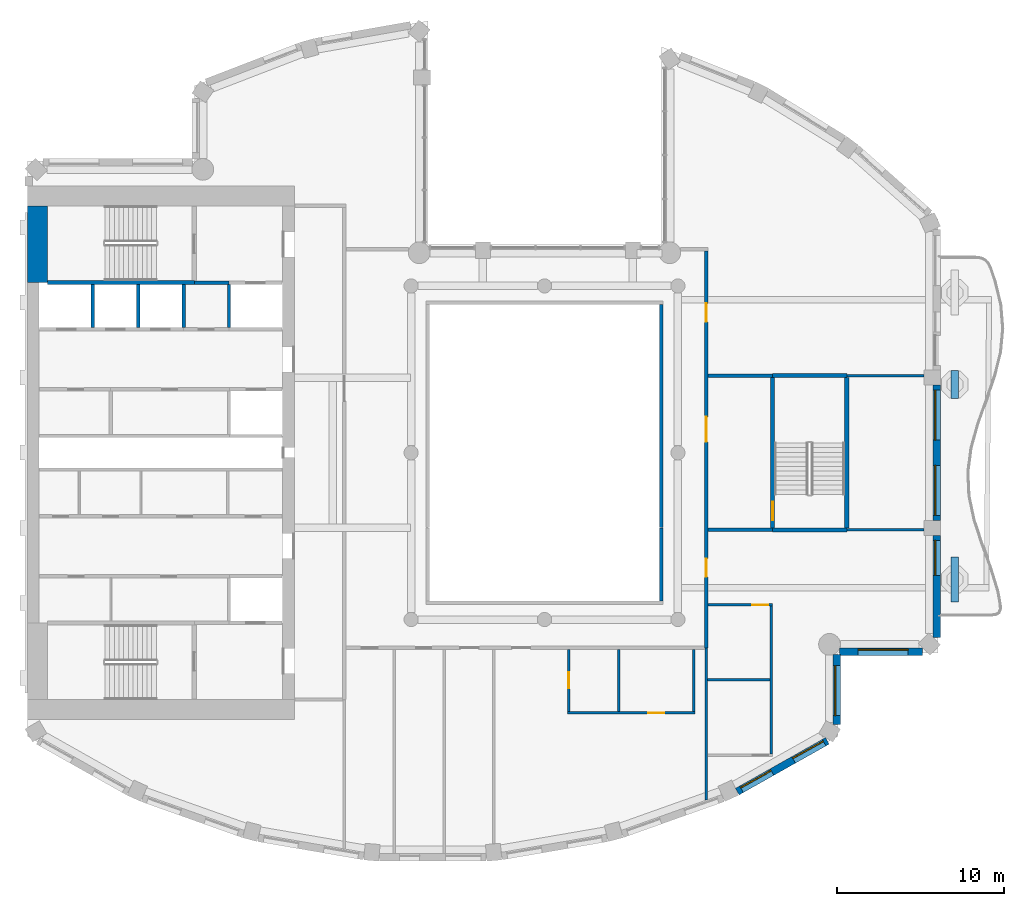
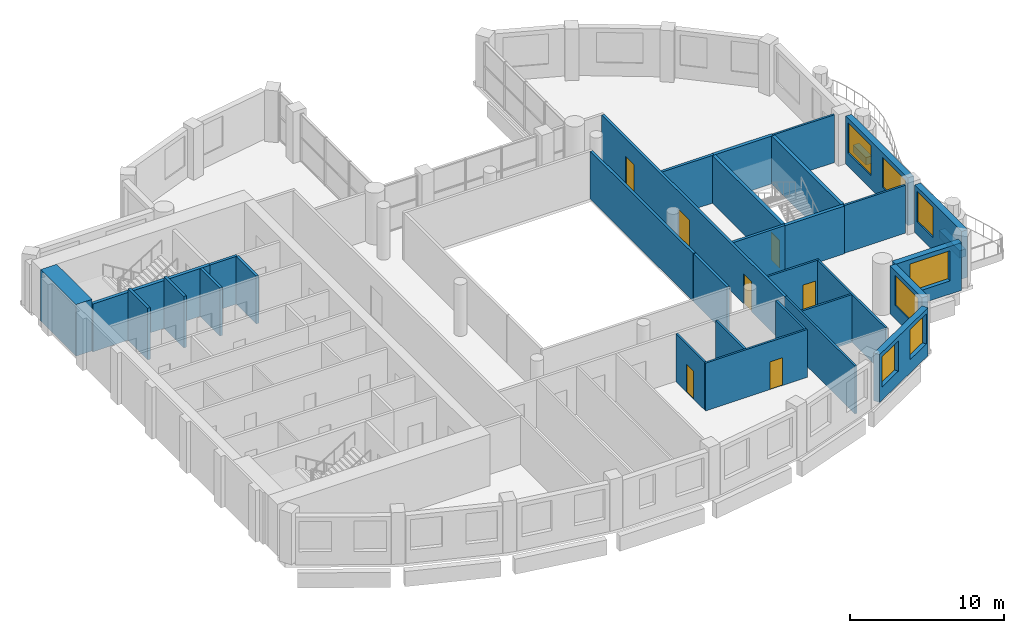
# One storey, part 6 of 14: 33 walls, 7 doors, 7 windows, 14 openings.
"""IFC4 building model written with IfcOpenShell, lengths in metres."""

from ifc_helpers import new_model, si_unit, direction, frame, frame_2d, origin, place, context, subcontext, project, spatial, rectangle, extrude, material, layer, layer_set, type_object, element, fill, save


model = new_model("IFC4")

# Units and contexts
model_context = context("Model", 3, precision=1e-05, world=origin(), true_north=direction((0.0, 1.0)))
body_context = subcontext(model_context, "Body", "Model", "MODEL_VIEW")
ifc_project = project(units=[si_unit("LENGTHUNIT", "METRE"), si_unit("AREAUNIT", "SQUARE_METRE"), si_unit("VOLUMEUNIT", "CUBIC_METRE"), si_unit("PLANEANGLEUNIT", "RADIAN"), si_unit("MASSUNIT", "GRAM", prefix="KILO")], contexts=[model_context])

# Site, building, storey
site_placement = place(None, origin())
site = spatial("IfcSite", under=ifc_project, at=site_placement, CompositionType="ELEMENT")
building_placement = place(site_placement, origin())
building = spatial("IfcBuilding", under=site, at=building_placement, Name="Cypress Arch Tower", CompositionType="ELEMENT")
storey_placement = place(building_placement, frame((0.0, 0.0, 272.10009765625)))
storey = spatial("IfcBuildingStorey", under=building, at=storey_placement, Name="L61", CompositionType="ELEMENT", Elevation=272.10009765625)

# Walls
ifc_material_1 = material(Name="Concrete C40/50, waterproofed", Category="concrete")
ifc_layer_1 = layer(ifc_material_1, 0.449951171875)
ifc_layer_set_1 = layer_set([ifc_layer_1], Name="Balcony planter wall PW450")
wall_type_1 = type_object("IfcWallType", Name="Balcony planter wall PW450", PredefinedType="SOLIDWALL", material=ifc_layer_set_1)
wall_1_placement = place(storey_placement, frame((25.60009765625, -8.949951171875, 0.0), z_axis=(0.0, 0.0, 1.0), x_axis=(0.0, 1.0, 0.0)))
element("IfcWall", 1, at=wall_1_placement, inside=storey, type_object=wall_type_1, Name="Balcony planter wall L61-C17.1", PredefinedType="SOLIDWALL", context=body_context, shape_type="SweptSolid", body=[
    extrude(rectangle(XDim=2.699951171875, YDim=0.449951171875, at=frame_2d((1.35009765625, 0.0))), origin(), (0.0, 0.0, 1.0), 0.599853515625),
])
wall_2_placement = place(storey_placement, frame((25.60009765625, 3.25, 0.0), z_axis=(0.0, 0.0, 1.0), x_axis=(0.0, 1.0, 0.0)))
element("IfcWall", 2, at=wall_2_placement, inside=storey, type_object=wall_type_1, Name="Balcony planter wall L61-C17.2", PredefinedType="SOLIDWALL", context=body_context, shape_type="SweptSolid", body=[
    extrude(rectangle(XDim=1.69140625, YDim=0.449951171875, at=frame_2d((0.845703125, 0.0))), origin(), (0.0, 0.0, 1.0), 0.599853515625),
])

# Wall, openings, windows
ifc_material_2 = material(Name="Brick (red buff blend)", Category="masonry")
ifc_layer_2 = layer(ifc_material_2, 0.449951171875)
ifc_layer_set_2 = layer_set([ifc_layer_2], Name="Brick pier and spandrel wall BW450")
wall_type_2 = type_object("IfcWallType", Name="Brick pier and spandrel wall BW450", PredefinedType="SOLIDWALL", material=ifc_layer_set_2)
wall_3_placement = place(storey_placement, frame((12.55908203125, -20.320068359375, 0.0), z_axis=(0.0, 0.0, 1.0), x_axis=(0.871065783524, 0.491166367714, 0.0)))
wall_3 = element("IfcWall", 3, at=wall_3_placement, inside=storey, type_object=wall_type_2, Name="Brick wall L61 C14.0", PredefinedType="SOLIDWALL", context=body_context, shape_type="SweptSolid", body=[
    extrude(rectangle(XDim=6.1962890625, YDim=0.449951171875, at=frame_2d((3.09814453125, 0.0))), origin(), (0.0, 0.0, 1.0), 3.7998046875),
])
opening_1_placement = place(wall_3_placement, frame((0.29052734375, 0.0, 1.050048828125)))
opening_1 = element("IfcOpeningElement", 4, at=opening_1_placement, cuts=wall_3, Name="Opening W210O", PredefinedType="OPENING", context=body_context, shape_type="SweptSolid", body=[
    extrude(rectangle(XDim=2.10009765625, YDim=2.39990234375, at=frame_2d((1.050048828125, 1.199951171875))), frame((0.0, 0.23486328125, 0.0), z_axis=(0.0, -1.0, 0.0), x_axis=(1.0, 0.0, 0.0)), (0.0, 0.0, 1.0), 0.469970703125),
])
opening_2_placement = place(wall_3_placement, frame((3.875244140625, 0.0, 1.050048828125)))
opening_2 = element("IfcOpeningElement", 5, at=opening_2_placement, cuts=wall_3, Name="Opening W210O", PredefinedType="OPENING", context=body_context, shape_type="SweptSolid", body=[
    extrude(rectangle(XDim=2.10009765625, YDim=2.39990234375, at=frame_2d((1.050048828125, 1.199951171875))), frame((0.0, 0.23486328125, 0.0), z_axis=(0.0, -1.0, 0.0), x_axis=(1.0, 0.0, 0.0)), (0.0, 0.0, 1.0), 0.469970703125),
])
ifc_material_3 = material(Name="Anodised aluminium, bronze finish, clear low-emissivity double glazing", Category="aluminium")
window_type_1 = type_object("IfcWindowType", Name="Window Office 2100x2400", PartitioningType="SINGLE_PANEL", PredefinedType="WINDOW", material=ifc_material_3)
window_1_placement = place(opening_1_placement, origin())
window_1 = element("IfcWindow", 6, at=window_1_placement, inside=storey, type_object=window_type_1, Name="Window L61 C14.0.1", OverallHeight=2.39990234375, OverallWidth=2.10009765625, PartitioningType="SINGLE_PANEL", PredefinedType="WINDOW", context=body_context, shape_type="SweptSolid", body=[
    extrude(rectangle(XDim=2.10009765625, YDim=2.39990234375, at=frame_2d((1.050048828125, 1.199951171875))), frame((0.0, 0.135009765625, 0.0), z_axis=(0.0, -1.0, 0.0), x_axis=(1.0, 0.0, 0.0)), (0.0, 0.0, 1.0), 0.06005859375),
])
fill(opening_1, window_1)
window_2_placement = place(opening_2_placement, origin())
window_2 = element("IfcWindow", 7, at=window_2_placement, inside=storey, type_object=window_type_1, Name="Window L61 C14.0.2", OverallHeight=2.39990234375, OverallWidth=2.10009765625, PartitioningType="SINGLE_PANEL", PredefinedType="WINDOW", context=body_context, shape_type="SweptSolid", body=[
    extrude(rectangle(XDim=2.10009765625, YDim=2.39990234375, at=frame_2d((1.050048828125, 1.199951171875))), frame((0.0, 0.135009765625, 0.0), z_axis=(0.0, -1.0, 0.0), x_axis=(1.0, 0.0, 0.0)), (0.0, 0.0, 1.0), 0.06005859375),
])
fill(opening_2, window_2)

# Wall, opening, window
wall_4_placement = place(storey_placement, frame((18.52490234375, -16.3037109375, 0.0), z_axis=(0.0, 0.0, 1.0), x_axis=(0.0, 1.0, 0.0)))
wall_4 = element("IfcWall", 8, at=wall_4_placement, inside=storey, type_object=wall_type_2, Name="Brick wall L61 C15.0", PredefinedType="SOLIDWALL", context=body_context, shape_type="SweptSolid", body=[
    extrude(rectangle(XDim=4.2021484375, YDim=0.449951171875, at=frame_2d((2.10107421875, 0.0))), origin(), (0.0, 0.0, 1.0), 3.7998046875),
])
opening_3_placement = place(wall_4_placement, frame((0.541259765625, 0.0, 1.050048828125)))
opening_3 = element("IfcOpeningElement", 9, at=opening_3_placement, cuts=wall_4, Name="Opening W300O", PredefinedType="OPENING", context=body_context, shape_type="SweptSolid", body=[
    extrude(rectangle(XDim=3.0, YDim=2.39990234375, at=frame_2d((1.5, 1.199951171875))), frame((0.0, 0.23486328125, 0.0), z_axis=(0.0, -1.0, 0.0), x_axis=(1.0, 0.0, 0.0)), (0.0, 0.0, 1.0), 0.469970703125),
])
ifc_material_4 = material(Name="Anodised aluminium, bronze finish, clear low-emissivity double glazing", Category="aluminium")
window_type_2 = type_object("IfcWindowType", Name="Window Office 3000x2400", PartitioningType="SINGLE_PANEL", PredefinedType="WINDOW", material=ifc_material_4)
window_3_placement = place(opening_3_placement, origin())
window_3 = element("IfcWindow", 10, at=window_3_placement, inside=storey, type_object=window_type_2, Name="Window L61 C15.0.1", OverallHeight=2.39990234375, OverallWidth=3.0, PartitioningType="SINGLE_PANEL", PredefinedType="WINDOW", context=body_context, shape_type="SweptSolid", body=[
    extrude(rectangle(XDim=3.0, YDim=2.39990234375, at=frame_2d((1.5, 1.199951171875))), frame((0.0, 0.135009765625, 0.0), z_axis=(0.0, -1.0, 0.0), x_axis=(1.0, 0.0, 0.0)), (0.0, 0.0, 1.0), 0.06005859375),
])
fill(opening_3, window_3)

wall_5_placement = place(storey_placement, frame((18.701416015625, -11.925048828125, 0.0), z_axis=(0.0, 0.0, 1.0), x_axis=(1.0, 0.0, 0.0)))
wall_5 = element("IfcWall", 11, at=wall_5_placement, inside=storey, type_object=wall_type_2, Name="Brick wall L61 C16.0", PredefinedType="SOLIDWALL", context=body_context, shape_type="SweptSolid", body=[
    extrude(rectangle(XDim=4.962158203125, YDim=0.449951171875, at=frame_2d((2.48095703125, 0.0))), origin(), (0.0, 0.0, 1.0), 3.7998046875),
])
opening_4_placement = place(wall_5_placement, frame((1.098388671875, 0.0, 1.050048828125)))
opening_4 = element("IfcOpeningElement", 12, at=opening_4_placement, cuts=wall_5, Name="Opening W300O", PredefinedType="OPENING", context=body_context, shape_type="SweptSolid", body=[
    extrude(rectangle(XDim=3.0, YDim=2.39990234375, at=frame_2d((1.5, 1.199951171875))), frame((0.0, 0.23486328125, 0.0), z_axis=(0.0, -1.0, 0.0), x_axis=(1.0, 0.0, 0.0)), (0.0, 0.0, 1.0), 0.469970703125),
])
window_4_placement = place(opening_4_placement, origin())
window_4 = element("IfcWindow", 13, at=window_4_placement, inside=storey, type_object=window_type_2, Name="Window L61 C16.0.1", OverallHeight=2.39990234375, OverallWidth=3.0, PartitioningType="SINGLE_PANEL", PredefinedType="WINDOW", context=body_context, shape_type="SweptSolid", body=[
    extrude(rectangle(XDim=3.0, YDim=2.39990234375, at=frame_2d((1.5, 1.199951171875))), frame((0.0, 0.135009765625, 0.0), z_axis=(0.0, -1.0, 0.0), x_axis=(1.0, 0.0, 0.0)), (0.0, 0.0, 1.0), 0.06005859375),
])
fill(opening_4, window_4)

wall_6_placement = place(storey_placement, frame((24.52490234375, -11.063720703125, 0.0), z_axis=(0.0, 0.0, 1.0), x_axis=(0.0, 1.0, 0.0)))
wall_6 = element("IfcWall", 14, at=wall_6_placement, inside=storey, type_object=wall_type_2, Name="Brick wall L61 C17.0", PredefinedType="SOLIDWALL", context=body_context, shape_type="SweptSolid", body=[
    extrude(rectangle(XDim=6.11376953125, YDim=0.449951171875, at=frame_2d((3.056884765625, 0.0))), origin(), (0.0, 0.0, 1.0), 3.7998046875),
])
opening_5_placement = place(wall_6_placement, frame((3.713623046875, 0.0, 1.050048828125)))
opening_5 = element("IfcOpeningElement", 15, at=opening_5_placement, cuts=wall_6, Name="Opening W210OD", PredefinedType="OPENING", context=body_context, shape_type="SweptSolid", body=[
    extrude(rectangle(XDim=2.10009765625, YDim=2.39990234375, at=frame_2d((1.050048828125, 1.199951171875))), frame((0.0, 0.23486328125, 0.0), z_axis=(0.0, -1.0, 0.0), x_axis=(1.0, 0.0, 0.0)), (0.0, 0.0, 1.0), 0.469970703125),
])
ifc_material_5 = material(Name="Anodised aluminium, bronze finish, laminated low-emissivity double glazing, large-missile impact rated", Category="aluminium")
window_type_3 = type_object("IfcWindowType", Name="Window Office 2100x2400 debris-rated", PartitioningType="SINGLE_PANEL", PredefinedType="WINDOW", material=ifc_material_5)
window_5_placement = place(opening_5_placement, origin())
window_5 = element("IfcWindow", 16, at=window_5_placement, inside=storey, type_object=window_type_3, Name="Window L61 C17.0.2", OverallHeight=2.39990234375, OverallWidth=2.10009765625, PartitioningType="SINGLE_PANEL", PredefinedType="WINDOW", context=body_context, shape_type="SweptSolid", body=[
    extrude(rectangle(XDim=2.10009765625, YDim=2.39990234375, at=frame_2d((1.050048828125, 1.199951171875))), frame((0.0, 0.135009765625, 0.0), z_axis=(0.0, -1.0, 0.0), x_axis=(1.0, 0.0, 0.0)), (0.0, 0.0, 1.0), 0.06005859375),
])
fill(opening_5, window_5)

# Wall, openings, windows
wall_7_placement = place(storey_placement, frame((24.52490234375, -4.050048828125, 0.0), z_axis=(0.0, 0.0, 1.0), x_axis=(0.0, 1.0, 0.0)))
wall_7 = element("IfcWall", 17, at=wall_7_placement, inside=storey, type_object=wall_type_2, Name="Brick wall L61 C17.1", PredefinedType="SOLIDWALL", context=body_context, shape_type="SweptSolid", body=[
    extrude(rectangle(XDim=8.10009765625, YDim=0.449951171875, at=frame_2d((4.050048828125, 0.0))), origin(), (0.0, 0.0, 1.0), 3.7998046875),
])
opening_6_placement = place(wall_7_placement, frame((0.300048828125, 0.0, 1.050048828125)))
opening_6 = element("IfcOpeningElement", 18, at=opening_6_placement, cuts=wall_7, Name="Opening W300OD", PredefinedType="OPENING", context=body_context, shape_type="SweptSolid", body=[
    extrude(rectangle(XDim=3.0, YDim=2.39990234375, at=frame_2d((1.5, 1.199951171875))), frame((0.0, 0.23486328125, 0.0), z_axis=(0.0, -1.0, 0.0), x_axis=(1.0, 0.0, 0.0)), (0.0, 0.0, 1.0), 0.469970703125),
])
opening_7_placement = place(wall_7_placement, frame((4.800048828125, 0.0, 1.050048828125)))
opening_7 = element("IfcOpeningElement", 19, at=opening_7_placement, cuts=wall_7, Name="Opening W300OD", PredefinedType="OPENING", context=body_context, shape_type="SweptSolid", body=[
    extrude(rectangle(XDim=3.0, YDim=2.39990234375, at=frame_2d((1.5, 1.199951171875))), frame((0.0, 0.23486328125, 0.0), z_axis=(0.0, -1.0, 0.0), x_axis=(1.0, 0.0, 0.0)), (0.0, 0.0, 1.0), 0.469970703125),
])
ifc_material_6 = material(Name="Anodised aluminium, bronze finish, laminated low-emissivity double glazing, large-missile impact rated", Category="aluminium")
window_type_4 = type_object("IfcWindowType", Name="Window Office 3000x2400 debris-rated", PartitioningType="SINGLE_PANEL", PredefinedType="WINDOW", material=ifc_material_6)
window_6_placement = place(opening_6_placement, origin())
window_6 = element("IfcWindow", 20, at=window_6_placement, inside=storey, type_object=window_type_4, Name="Window L61 C17.1.1", OverallHeight=2.39990234375, OverallWidth=3.0, PartitioningType="SINGLE_PANEL", PredefinedType="WINDOW", context=body_context, shape_type="SweptSolid", body=[
    extrude(rectangle(XDim=3.0, YDim=2.39990234375, at=frame_2d((1.5, 1.199951171875))), frame((0.0, 0.135009765625, 0.0), z_axis=(0.0, -1.0, 0.0), x_axis=(1.0, 0.0, 0.0)), (0.0, 0.0, 1.0), 0.06005859375),
])
fill(opening_6, window_6)
window_7_placement = place(opening_7_placement, origin())
window_7 = element("IfcWindow", 21, at=window_7_placement, inside=storey, type_object=window_type_4, Name="Window L61 C17.1.2", OverallHeight=2.39990234375, OverallWidth=3.0, PartitioningType="SINGLE_PANEL", PredefinedType="WINDOW", context=body_context, shape_type="SweptSolid", body=[
    extrude(rectangle(XDim=3.0, YDim=2.39990234375, at=frame_2d((1.5, 1.199951171875))), frame((0.0, 0.135009765625, 0.0), z_axis=(0.0, -1.0, 0.0), x_axis=(1.0, 0.0, 0.0)), (0.0, 0.0, 1.0), 0.06005859375),
])
fill(opening_7, window_7)

# Walls
ifc_material_7 = material(Name="Concrete C60/75", Category="concrete")
ifc_layer_3 = layer(ifc_material_7, 1.199951171875)
ifc_layer_set_3 = layer_set([ifc_layer_3], Name="Core wall CW1200 C60/75")
wall_type_3 = type_object("IfcWallType", Name="Core wall CW1200 C60/75", PredefinedType="SHEAR", material=ifc_layer_set_3)
wall_8_placement = place(storey_placement, frame((-29.39990234375, 10.199951171875, 0.0), z_axis=(0.0, 0.0, 1.0), x_axis=(0.0, 1.0, 0.0)))
element("IfcWall", 22, at=wall_8_placement, inside=storey, type_object=wall_type_3, Name="Core wall", PredefinedType="SHEAR", context=body_context, shape_type="SweptSolid", body=[
    extrude(rectangle(XDim=4.60009765625, YDim=1.199951171875, at=frame_2d((2.300048828125, 0.0))), origin(), (0.0, 0.0, 1.0), 4.099853515625),
])
ifc_material_8 = material(Name="Concrete blockwork, plastered, rated", Category="masonry")
ifc_layer_4 = layer(ifc_material_8, 0.199951171875)
ifc_layer_set_4 = layer_set([ifc_layer_4], Name="Corridor wall FW200")
wall_type_4 = type_object("IfcWallType", Name="Corridor wall FW200", PredefinedType="PARTITIONING", material=ifc_layer_set_4)
wall_9_placement = place(storey_placement, frame((-20.0, 10.199951171875, 0.0), z_axis=(0.0, 0.0, 1.0), x_axis=(1.0, 0.0, 0.0)))
element("IfcWall", 23, at=wall_9_placement, inside=storey, type_object=wall_type_4, Name="Corridor wall", PredefinedType="PARTITIONING", context=body_context, shape_type="SweptSolid", body=[
    extrude(rectangle(XDim=2.080078125, YDim=0.199951171875, at=frame_2d((1.0400390625, 0.0))), origin(), (0.0, 0.0, 1.0), 3.7998046875),
])
wall_10_placement = place(storey_placement, frame((8.0, -8.89990234375, 0.0), z_axis=(0.0, 0.0, 1.0), x_axis=(0.0, 1.0, 0.0)))
element("IfcWall", 24, at=wall_10_placement, inside=storey, type_object=wall_type_4, Name="Corridor wall", PredefinedType="PARTITIONING", context=body_context, shape_type="SweptSolid", body=[
    extrude(rectangle(XDim=4.3798828125, YDim=0.199951171875, at=frame_2d((2.18994140625, 0.0))), origin(), (0.0, 0.0, 1.0), 3.7998046875),
])
wall_11_placement = place(storey_placement, frame((8.0, -4.47998046875, 0.0), z_axis=(0.0, 0.0, 1.0), x_axis=(0.0, 1.0, 0.0)))
element("IfcWall", 25, at=wall_11_placement, inside=storey, type_object=wall_type_4, Name="Corridor wall", PredefinedType="PARTITIONING", context=body_context, shape_type="SweptSolid", body=[
    extrude(rectangle(XDim=13.3798828125, YDim=0.199951171875, at=frame_2d((6.68994140625, 0.0))), origin(), (0.0, 0.0, 1.0), 3.7998046875),
])

# Wall, openings, doors
wall_12_placement = place(storey_placement, frame((10.699951171875, -11.699951171875, 0.0), z_axis=(0.0, 0.0, 1.0), x_axis=(0.0, 1.0, 0.0)))
wall_12 = element("IfcWall", 26, at=wall_12_placement, inside=storey, type_object=wall_type_4, Name="Corridor wall", PredefinedType="PARTITIONING", context=body_context, shape_type="SweptSolid", body=[
    extrude(rectangle(XDim=23.800048828125, YDim=0.199951171875, at=frame_2d((11.89990234375, 0.0))), origin(), (0.0, 0.0, 1.0), 3.7998046875),
])
opening_8_placement = place(wall_12_placement, frame((12.35009765625, 0.0, 0.0)))
opening_8 = element("IfcOpeningElement", 27, at=opening_8_placement, cuts=wall_12, Name="Opening D07", PredefinedType="OPENING", context=body_context, shape_type="SweptSolid", body=[
    extrude(rectangle(XDim=1.5, YDim=2.39990234375, at=frame_2d((0.75, 1.199951171875))), frame((0.0, 0.10986328125, 0.0), z_axis=(0.0, -1.0, 0.0), x_axis=(1.0, 0.0, 0.0)), (0.0, 0.0, 1.0), 0.219970703125),
])
opening_9_placement = place(wall_12_placement, frame((19.550048828125, 0.0, 0.0)))
opening_9 = element("IfcOpeningElement", 28, at=opening_9_placement, cuts=wall_12, Name="Opening D01", PredefinedType="OPENING", context=body_context, shape_type="SweptSolid", body=[
    extrude(rectangle(XDim=1.10009765625, YDim=2.39990234375, at=frame_2d((0.550048828125, 1.199951171875))), frame((0.0, 0.10986328125, 0.0), z_axis=(0.0, -1.0, 0.0), x_axis=(1.0, 0.0, 0.0)), (0.0, 0.0, 1.0), 0.219970703125),
])
opening_10_placement = place(wall_12_placement, frame((4.25, 0.0, 0.0)))
opening_10 = element("IfcOpeningElement", 29, at=opening_10_placement, cuts=wall_12, Name="Opening D01", PredefinedType="OPENING", context=body_context, shape_type="SweptSolid", body=[
    extrude(rectangle(XDim=1.10009765625, YDim=2.39990234375, at=frame_2d((0.550048828125, 1.199951171875))), frame((0.0, 0.10986328125, 0.0), z_axis=(0.0, -1.0, 0.0), x_axis=(1.0, 0.0, 0.0)), (0.0, 0.0, 1.0), 0.219970703125),
])
ifc_material_9 = material(Name="Steel framed glazed door, fire resisting", Category="steel")
door_type_1 = type_object("IfcDoorType", Name="Lobby door D07 1500x2400", OperationType="DOUBLE_DOOR_SINGLE_SWING", PredefinedType="DOOR", material=ifc_material_9)
door_1_placement = place(opening_8_placement, origin())
door_1 = element("IfcDoor", 30, at=door_1_placement, inside=storey, type_object=door_type_1, Name="Lobby door", OperationType="DOUBLE_DOOR_SINGLE_SWING", OverallHeight=2.39990234375, OverallWidth=1.5, PredefinedType="DOOR", context=body_context, shape_type="SweptSolid", body=[
    extrude(rectangle(XDim=1.5, YDim=2.39990234375, at=frame_2d((0.75, 1.199951171875))), frame((0.0, 0.02490234375, 0.0), z_axis=(0.0, -1.0, 0.0), x_axis=(1.0, 0.0, 0.0)), (0.0, 0.0, 1.0), 0.050048828125),
])
fill(opening_8, door_1)
ifc_material_10 = material(Name="Timber flush door, fire resisting, self-closing", Category="wood")
door_type_2 = type_object("IfcDoorType", Name="Unit entrance door D01 1100x2400", OperationType="SINGLE_SWING_LEFT", PredefinedType="DOOR", material=ifc_material_10)
door_2_placement = place(opening_9_placement, origin())
door_2 = element("IfcDoor", 31, at=door_2_placement, inside=storey, type_object=door_type_2, Name="Unit entrance door", OperationType="SINGLE_SWING_LEFT", OverallHeight=2.39990234375, OverallWidth=1.10009765625, PredefinedType="DOOR", context=body_context, shape_type="SweptSolid", body=[
    extrude(rectangle(XDim=1.10009765625, YDim=2.39990234375, at=frame_2d((0.550048828125, 1.199951171875))), frame((0.0, 0.02490234375, 0.0), z_axis=(0.0, -1.0, 0.0), x_axis=(1.0, 0.0, 0.0)), (0.0, 0.0, 1.0), 0.050048828125),
])
fill(opening_9, door_2)
door_3_placement = place(opening_10_placement, origin())
door_3 = element("IfcDoor", 32, at=door_3_placement, inside=storey, type_object=door_type_2, Name="Unit entrance door", OperationType="SINGLE_SWING_RIGHT", OverallHeight=2.39990234375, OverallWidth=1.10009765625, PredefinedType="DOOR", context=body_context, shape_type="SweptSolid", body=[
    extrude(rectangle(XDim=1.10009765625, YDim=2.39990234375, at=frame_2d((0.550048828125, 1.199951171875))), frame((0.0, 0.02490234375, 0.0), z_axis=(0.0, -1.0, 0.0), x_axis=(1.0, 0.0, 0.0)), (0.0, 0.0, 1.0), 0.050048828125),
])
fill(opening_10, door_3)

# Walls
for number, where, z_axis, x_axis, name in (
    (33, (10.800048828125, -4.625, 0.0), (0.0, 0.0, 1.0), (1.0, 0.0, 0.0), "Corridor wall"),
    (34, (10.800048828125, 4.625, 0.0), (0.0, 0.0, 1.0), (1.0, 0.0, 0.0), "Corridor wall"),
):
    element("IfcWall", number, at=place(storey_placement, frame(where, z_axis=z_axis, x_axis=x_axis)), inside=storey, type_object=wall_type_4, Name=name, PredefinedType="PARTITIONING", context=body_context, shape_type="SweptSolid", body=[
        extrude(rectangle(XDim=3.875, YDim=0.199951171875, at=frame_2d((1.9375, 0.0))), origin(), (0.0, 0.0, 1.0), 3.7998046875),
    ])

# Wall, opening, door
ifc_material_11 = material(Name="Blockwork, plastered both sides", Category="masonry")
ifc_layer_5 = layer(ifc_material_11, 0.14990234375)
ifc_layer_set_5 = layer_set([ifc_layer_5], Name="Partition PW150")
wall_type_5 = type_object("IfcWallType", Name="Partition PW150", PredefinedType="PARTITIONING", material=ifc_layer_set_5)
wall_13_placement = place(storey_placement, frame((2.4541015625, -15.52490234375, 0.0), z_axis=(0.0, 0.0, 1.0), x_axis=(0.0, 1.0, 0.0)))
wall_13 = element("IfcWall", 35, at=wall_13_placement, inside=storey, type_object=wall_type_5, Name="Partition", PredefinedType="PARTITIONING", context=body_context, shape_type="SweptSolid", body=[
    extrude(rectangle(XDim=3.724853515625, YDim=0.14990234375, at=frame_2d((1.8623046875, 0.0))), origin(), (0.0, 0.0, 1.0), 3.7998046875),
])
opening_11_placement = place(wall_13_placement, frame((1.39990234375, 0.0, 0.0)))
opening_11 = element("IfcOpeningElement", 36, at=opening_11_placement, cuts=wall_13, Name="Opening D12", PredefinedType="OPENING", context=body_context, shape_type="SweptSolid", body=[
    extrude(rectangle(XDim=0.949951171875, YDim=2.199951171875, at=frame_2d((0.47509765625, 1.10009765625))), frame((0.0, 0.0849609375, 0.0), z_axis=(0.0, -1.0, 0.0), x_axis=(1.0, 0.0, 0.0)), (0.0, 0.0, 1.0), 0.169921875),
])
ifc_material_12 = material(Name="Timber flush door", Category="wood")
door_type_3 = type_object("IfcDoorType", Name="Room door D12 950x2200", OperationType="SINGLE_SWING_LEFT", PredefinedType="DOOR", material=ifc_material_12)
door_4_placement = place(opening_11_placement, origin())
door_4 = element("IfcDoor", 37, at=door_4_placement, inside=storey, type_object=door_type_3, Name="Room door", OperationType="SINGLE_SWING_RIGHT", OverallHeight=2.199951171875, OverallWidth=0.949951171875, PredefinedType="DOOR", context=body_context, shape_type="SweptSolid", body=[
    extrude(rectangle(XDim=0.949951171875, YDim=2.199951171875, at=frame_2d((0.47509765625, 1.10009765625))), frame((0.0, 0.02490234375, 0.0), z_axis=(0.0, -1.0, 0.0), x_axis=(1.0, 0.0, 0.0)), (0.0, 0.0, 1.0), 0.050048828125),
])
fill(opening_11, door_4)

wall_14_placement = place(storey_placement, frame((2.37890625, -15.60009765625, 0.0), z_axis=(0.0, 0.0, 1.0), x_axis=(1.0, 0.0, 0.0)))
wall_14 = element("IfcWall", 38, at=wall_14_placement, inside=storey, type_object=wall_type_5, Name="Partition", PredefinedType="PARTITIONING", context=body_context, shape_type="SweptSolid", body=[
    extrude(rectangle(XDim=7.650146484375, YDim=0.14990234375, at=frame_2d((3.8251953125, 0.0))), origin(), (0.0, 0.0, 1.0), 3.7998046875),
])
opening_12_placement = place(wall_14_placement, frame((4.85009765625, 0.0, 0.0)))
opening_12 = element("IfcOpeningElement", 39, at=opening_12_placement, cuts=wall_14, Name="Opening D12", PredefinedType="OPENING", context=body_context, shape_type="SweptSolid", body=[
    extrude(rectangle(XDim=0.949951171875, YDim=2.199951171875, at=frame_2d((0.47509765625, 1.10009765625))), frame((0.0, 0.0849609375, 0.0), z_axis=(0.0, -1.0, 0.0), x_axis=(1.0, 0.0, 0.0)), (0.0, 0.0, 1.0), 0.169921875),
])
door_5_placement = place(opening_12_placement, origin())
door_5 = element("IfcDoor", 40, at=door_5_placement, inside=storey, type_object=door_type_3, Name="Room door", OperationType="SINGLE_SWING_LEFT", OverallHeight=2.199951171875, OverallWidth=0.949951171875, PredefinedType="DOOR", context=body_context, shape_type="SweptSolid", body=[
    extrude(rectangle(XDim=0.949951171875, YDim=2.199951171875, at=frame_2d((0.47509765625, 1.10009765625))), frame((0.0, 0.02490234375, 0.0), z_axis=(0.0, -1.0, 0.0), x_axis=(1.0, 0.0, 0.0)), (0.0, 0.0, 1.0), 0.050048828125),
])
fill(opening_12, door_5)

# Walls
for number, where, z_axis, x_axis, name in (
    (41, (5.4541015625, -15.52490234375, 0.0), (0.0, 0.0, 1.0), (0.0, 1.0, 0.0), "Partition"),
    (42, (9.9541015625, -15.52490234375, 0.0), (0.0, 0.0, 1.0), (0.0, 1.0, 0.0), "Partition"),
):
    element("IfcWall", number, at=place(storey_placement, frame(where, z_axis=z_axis, x_axis=x_axis)), inside=storey, type_object=wall_type_5, Name=name, PredefinedType="PARTITIONING", context=body_context, shape_type="SweptSolid", body=[
        extrude(rectangle(XDim=3.724853515625, YDim=0.14990234375, at=frame_2d((1.8623046875, 0.0))), origin(), (0.0, 0.0, 1.0), 3.7998046875),
    ])
wall_15_placement = place(storey_placement, frame((10.699951171875, -20.828369140625, 0.0), z_axis=(0.0, 0.0, 1.0), x_axis=(0.0, 1.0, 0.0)))
element("IfcWall", 43, at=wall_15_placement, inside=storey, type_object=wall_type_5, Name="Partition", PredefinedType="PARTITIONING", context=body_context, shape_type="SweptSolid", body=[
    extrude(rectangle(XDim=9.12841796875, YDim=0.14990234375, at=frame_2d((4.564208984375, 0.0))), origin(), (0.0, 0.0, 1.0), 3.7998046875),
])
wall_16_placement = place(storey_placement, frame((10.77490234375, -13.625, 0.0), z_axis=(0.0, 0.0, 1.0), x_axis=(1.0, 0.0, 0.0)))
element("IfcWall", 44, at=wall_16_placement, inside=storey, type_object=wall_type_5, Name="Partition", PredefinedType="PARTITIONING", context=body_context, shape_type="SweptSolid", body=[
    extrude(rectangle(XDim=3.75, YDim=0.14990234375, at=frame_2d((1.875, 0.0))), origin(), (0.0, 0.0, 1.0), 3.7998046875),
])

# Wall, opening, door
wall_17_placement = place(storey_placement, frame((10.800048828125, -9.125, 0.0), z_axis=(0.0, 0.0, 1.0), x_axis=(1.0, 0.0, 0.0)))
wall_17 = element("IfcWall", 45, at=wall_17_placement, inside=storey, type_object=wall_type_5, Name="Partition", PredefinedType="PARTITIONING", context=body_context, shape_type="SweptSolid", body=[
    extrude(rectangle(XDim=3.875, YDim=0.14990234375, at=frame_2d((1.9375, 0.0))), origin(), (0.0, 0.0, 1.0), 3.7998046875),
])
opening_13_placement = place(wall_17_placement, frame((2.64990234375, 0.0, 0.0)))
opening_13 = element("IfcOpeningElement", 46, at=opening_13_placement, cuts=wall_17, Name="Opening D12", PredefinedType="OPENING", context=body_context, shape_type="SweptSolid", body=[
    extrude(rectangle(XDim=0.949951171875, YDim=2.199951171875, at=frame_2d((0.47509765625, 1.10009765625))), frame((0.0, 0.0849609375, 0.0), z_axis=(0.0, -1.0, 0.0), x_axis=(1.0, 0.0, 0.0)), (0.0, 0.0, 1.0), 0.169921875),
])
door_6_placement = place(opening_13_placement, origin())
door_6 = element("IfcDoor", 47, at=door_6_placement, inside=storey, type_object=door_type_3, Name="Room door", OperationType="SINGLE_SWING_LEFT", OverallHeight=2.199951171875, OverallWidth=0.949951171875, PredefinedType="DOOR", context=body_context, shape_type="SweptSolid", body=[
    extrude(rectangle(XDim=0.949951171875, YDim=2.199951171875, at=frame_2d((0.47509765625, 1.10009765625))), frame((0.0, 0.02490234375, 0.0), z_axis=(0.0, -1.0, 0.0), x_axis=(1.0, 0.0, 0.0)), (0.0, 0.0, 1.0), 0.050048828125),
])
fill(opening_13, door_6)

# Walls
wall_18_placement = place(storey_placement, frame((14.60009765625, -18.050048828125, 0.0), z_axis=(0.0, 0.0, 1.0), x_axis=(0.0, 1.0, 0.0)))
element("IfcWall", 48, at=wall_18_placement, inside=storey, type_object=wall_type_5, Name="Partition", PredefinedType="PARTITIONING", context=body_context, shape_type="SweptSolid", body=[
    extrude(rectangle(XDim=8.85009765625, YDim=0.14990234375, at=frame_2d((4.425048828125, 0.0))), origin(), (0.0, 0.0, 1.0), 3.7998046875),
])
for number, where, z_axis, x_axis, name in (
    (49, (19.14501953125, -4.625, 0.0), (0.0, 0.0, 1.0), (1.0, 0.0, 0.0), "Partition"),
    (50, (19.14501953125, 4.625, 0.0), (0.0, 0.0, 1.0), (1.0, 0.0, 0.0), "Partition"),
):
    element("IfcWall", number, at=place(storey_placement, frame(where, z_axis=z_axis, x_axis=x_axis)), inside=storey, type_object=wall_type_5, Name=name, PredefinedType="PARTITIONING", context=body_context, shape_type="SweptSolid", body=[
        extrude(rectangle(XDim=4.60498046875, YDim=0.14990234375, at=frame_2d((2.302490234375, 0.0))), origin(), (0.0, 0.0, 1.0), 3.7998046875),
    ])
ifc_material_13 = material(Name="Concrete C50/60", Category="concrete")
ifc_layer_6 = layer(ifc_material_13, 0.199951171875)
ifc_layer_set_6 = layer_set([ifc_layer_6], Name="Shaft wall SH200")
wall_type_6 = type_object("IfcWallType", Name="Shaft wall SH200", PredefinedType="SHEAR", material=ifc_layer_set_6)
for number, where, z_axis, x_axis, name in (
    (51, (-26.080078125, 7.5, 0.0), (0.0, 0.0, 1.0), (0.0, 1.0, 0.0), "Shaft wall"),
    (52, (-23.360107421875, 7.5, 0.0), (0.0, 0.0, 1.0), (0.0, 1.0, 0.0), "Shaft wall"),
):
    element("IfcWall", number, at=place(storey_placement, frame(where, z_axis=z_axis, x_axis=x_axis)), inside=storey, type_object=wall_type_6, Name=name, PredefinedType="SHEAR", context=body_context, shape_type="SweptSolid", body=[
        extrude(rectangle(XDim=2.574951171875, YDim=0.199951171875, at=frame_2d((1.28759765625, 0.0))), origin(), (0.0, 0.0, 1.0), 4.099853515625),
    ])
wall_19_placement = place(storey_placement, frame((-20.639892578125, 7.5, 0.0), z_axis=(0.0, 0.0, 1.0), x_axis=(0.0, 1.0, 0.0)))
element("IfcWall", 53, at=wall_19_placement, inside=storey, type_object=wall_type_6, Name="Shaft wall", PredefinedType="SHEAR", context=body_context, shape_type="SweptSolid", body=[
    extrude(rectangle(XDim=2.574951171875, YDim=0.199951171875, at=frame_2d((1.28759765625, 0.0))), origin(), (0.0, 0.0, 1.0), 3.7998046875),
])
wall_20_placement = place(storey_placement, frame((-17.919921875, 7.5, 0.0), z_axis=(0.0, 0.0, 1.0), x_axis=(0.0, 1.0, 0.0)))
element("IfcWall", 54, at=wall_20_placement, inside=storey, type_object=wall_type_6, Name="Shaft wall", PredefinedType="SHEAR", context=body_context, shape_type="SweptSolid", body=[
    extrude(rectangle(XDim=2.60009765625, YDim=0.199951171875, at=frame_2d((1.300048828125, 0.0))), origin(), (0.0, 0.0, 1.0), 3.7998046875),
])
ifc_material_14 = material(Name="Concrete C50/60", Category="concrete")
ifc_layer_7 = layer(ifc_material_14, 0.25)
ifc_layer_set_7 = layer_set([ifc_layer_7], Name="Stair enclosure wall SW250")
wall_type_7 = type_object("IfcWallType", Name="Stair enclosure wall SW250", PredefinedType="SHEAR", material=ifc_layer_set_7)
wall_21_placement = place(storey_placement, frame((-28.81005859375, 10.199951171875, 0.0), z_axis=(0.0, 0.0, 1.0), x_axis=(1.0, 0.0, 0.0)))
element("IfcWall", 55, at=wall_21_placement, inside=storey, type_object=wall_type_7, Name="Stair enclosure wall", PredefinedType="SHEAR", context=body_context, shape_type="SweptSolid", body=[
    extrude(rectangle(XDim=8.81005859375, YDim=0.25, at=frame_2d((4.405029296875, 0.0))), origin(), (0.0, 0.0, 1.0), 3.7998046875),
])

# Wall, opening, door
wall_22_placement = place(storey_placement, frame((14.675048828125, -4.5, 0.0), z_axis=(0.0, 0.0, 1.0), x_axis=(0.0, 1.0, 0.0)))
wall_22 = element("IfcWall", 56, at=wall_22_placement, inside=storey, type_object=wall_type_7, Name="Stair enclosure wall", PredefinedType="SHEAR", context=body_context, shape_type="SweptSolid", body=[
    extrude(rectangle(XDim=9.0, YDim=0.25, at=frame_2d((4.5, 0.0))), origin(), (0.0, 0.0, 1.0), 3.7998046875),
])
opening_14_placement = place(wall_22_placement, frame((0.449951171875, 0.0, 0.0)))
opening_14 = element("IfcOpeningElement", 57, at=opening_14_placement, cuts=wall_22, Name="Opening D06", PredefinedType="OPENING", context=body_context, shape_type="SweptSolid", body=[
    extrude(rectangle(XDim=1.10009765625, YDim=2.199951171875, at=frame_2d((0.550048828125, 1.10009765625))), frame((0.0, 0.135009765625, 0.0), z_axis=(0.0, -1.0, 0.0), x_axis=(1.0, 0.0, 0.0)), (0.0, 0.0, 1.0), 0.27001953125),
])
ifc_material_15 = material(Name="Steel door, fire resisting, panic bar", Category="steel")
door_type_4 = type_object("IfcDoorType", Name="Stair door D06 1100x2200", OperationType="SINGLE_SWING_LEFT", PredefinedType="DOOR", material=ifc_material_15)
door_7_placement = place(opening_14_placement, origin())
door_7 = element("IfcDoor", 58, at=door_7_placement, inside=storey, type_object=door_type_4, Name="Stair door", OperationType="SINGLE_SWING_RIGHT", OverallHeight=2.199951171875, OverallWidth=1.10009765625, PredefinedType="DOOR", context=body_context, shape_type="SweptSolid", body=[
    extrude(rectangle(XDim=1.10009765625, YDim=2.199951171875, at=frame_2d((0.550048828125, 1.10009765625))), frame((0.0, 0.02490234375, 0.0), z_axis=(0.0, -1.0, 0.0), x_axis=(1.0, 0.0, 0.0)), (0.0, 0.0, 1.0), 0.050048828125),
])
fill(opening_14, door_7)

# Walls
for number, where, z_axis, x_axis, name in (
    (59, (14.675048828125, -4.625, 0.0), (0.0, 0.0, 1.0), (1.0, 0.0, 0.0), "Stair enclosure wall"),
    (60, (14.675048828125, 4.625, 0.0), (0.0, 0.0, 1.0), (1.0, 0.0, 0.0), "Stair enclosure wall"),
):
    element("IfcWall", number, at=place(storey_placement, frame(where, z_axis=z_axis, x_axis=x_axis)), inside=storey, type_object=wall_type_7, Name=name, PredefinedType="SHEAR", context=body_context, shape_type="SweptSolid", body=[
        extrude(rectangle(XDim=4.449951171875, YDim=0.25, at=frame_2d((2.22509765625, 0.0))), origin(), (0.0, 0.0, 1.0), 3.7998046875),
    ])
wall_23_placement = place(storey_placement, frame((19.125, -4.5, 0.0), z_axis=(0.0, 0.0, 1.0), x_axis=(0.0, 1.0, 0.0)))
element("IfcWall", 61, at=wall_23_placement, inside=storey, type_object=wall_type_7, Name="Stair enclosure wall", PredefinedType="SHEAR", context=body_context, shape_type="SweptSolid", body=[
    extrude(rectangle(XDim=9.0, YDim=0.25, at=frame_2d((4.5, 0.0))), origin(), (0.0, 0.0, 1.0), 3.7998046875),
])

save(model, "model.ifc")
